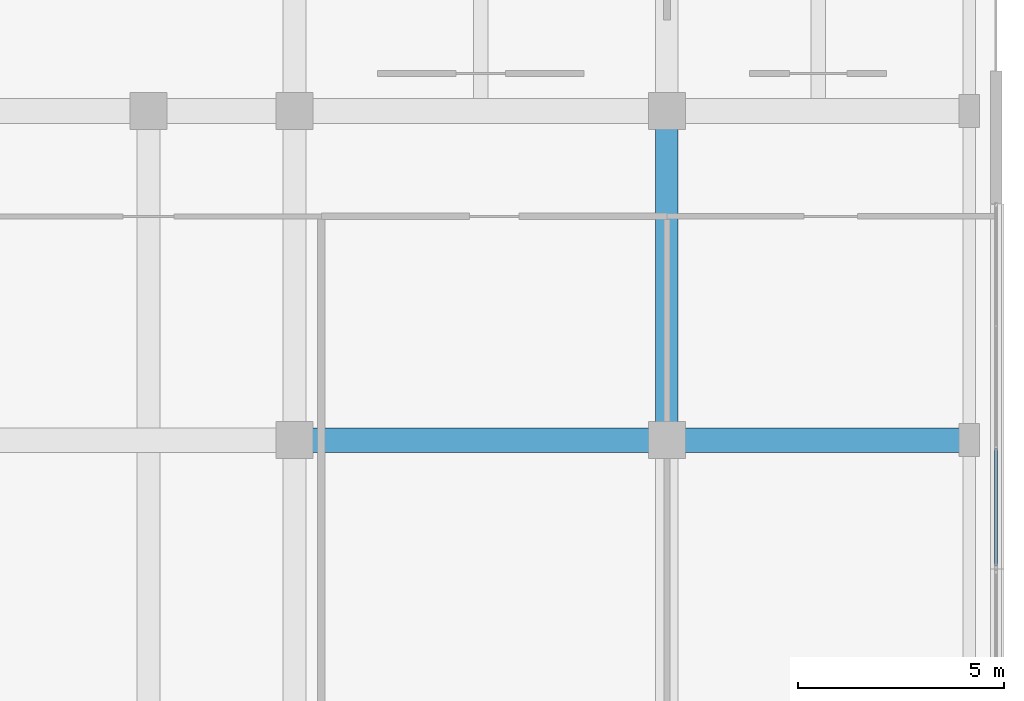
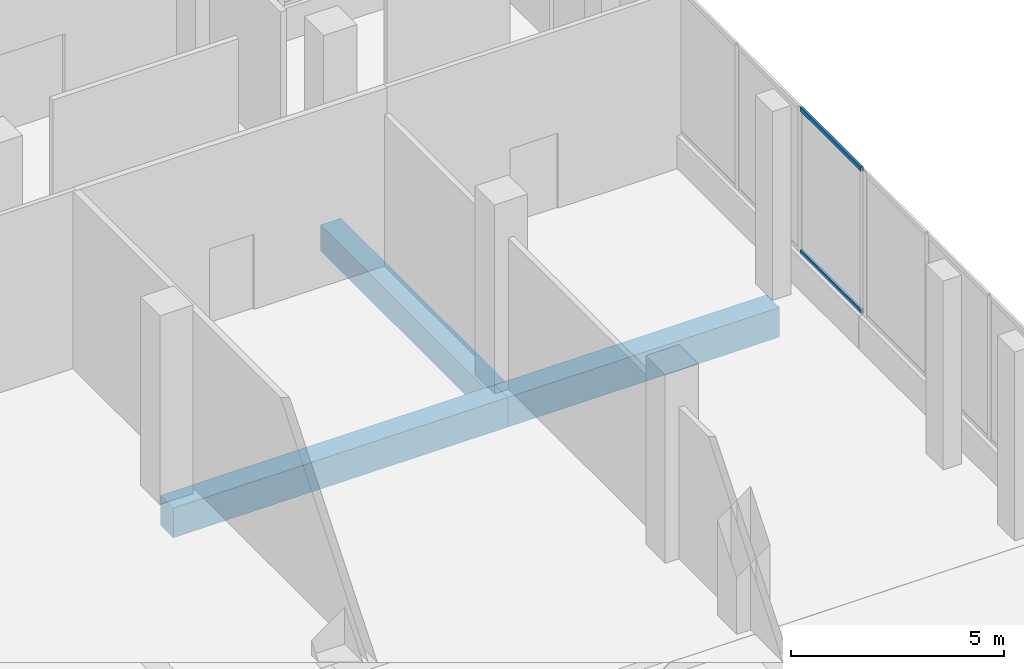
# One storey, part 111 of 158: 3 beams, 2 members, 1 element without a shape of its own.
"""IFC4 building model written with IfcOpenShell, lengths in metres."""

from ifc_helpers import new_model, si_unit, direction, frame, origin, origin_2d, place, context, subcontext, project, spatial, rectangle, hollow_rectangle, extrude, material, material_profile, profile_set, type_object, element, aggregate, save


model = new_model("IFC4")

# Units and contexts
model_context = context("Model", 3, precision=1e-05, world=origin(), true_north=direction((0.0, 1.0)))
body_context = subcontext(model_context, "Body", "Model", "MODEL_VIEW")
ifc_project = project(units=[si_unit("LENGTHUNIT", "METRE"), si_unit("AREAUNIT", "SQUARE_METRE"), si_unit("VOLUMEUNIT", "CUBIC_METRE"), si_unit("PLANEANGLEUNIT", "RADIAN"), si_unit("MASSUNIT", "GRAM", prefix="KILO")], contexts=[model_context])

# Site, building, storey
site_placement = place(None, origin())
site = spatial("IfcSite", under=ifc_project, at=site_placement, CompositionType="ELEMENT")
building_placement = place(site_placement, origin())
building = spatial("IfcBuilding", under=site, at=building_placement, Name="Selatvlak General Hospital", CompositionType="ELEMENT")
storey_placement = place(building_placement, origin())
storey = spatial("IfcBuildingStorey", under=building, at=storey_placement, Name="L00", CompositionType="ELEMENT", Elevation=0.0)

# Beams
ifc_material_1 = material(Name="Concrete C40/50", Category="concrete")
ifc_material_profile_1 = material_profile(ifc_material_1, rectangle(XDim=0.60009765625, YDim=0.85009765625, at=origin_2d()), Name="RC-BM 600x850")
ifc_profile_set_1 = profile_set([ifc_material_profile_1], Name="Concrete C40/50")
beam_type_1 = type_object("IfcBeamType", Name="BM-G01", PredefinedType="BEAM", material=ifc_profile_set_1)
beam_1_placement = place(storey_placement, frame((164.949951171875, 100.0, -0.77490234375), z_axis=(1.0, 0.0, 0.0), x_axis=(0.0, 1.0, 0.0)))
element("IfcBeam", 1, at=beam_1_placement, inside=storey, type_object=beam_type_1, Name="Beam BMR-L00-0111", PredefinedType="BEAM", context=body_context, shape_type="SweptSolid", body=[
    extrude(rectangle(XDim=0.60009765625, YDim=0.85009765625, at=origin_2d()), origin(), (0.0, 0.0, 1.0), 9.050048828125),
])
beam_2_placement = place(storey_placement, frame((174.0, 100.0, -0.77490234375), z_axis=(1.0, 0.0, 0.0), x_axis=(0.0, 1.0, 0.0)))
element("IfcBeam", 2, at=beam_2_placement, inside=storey, type_object=beam_type_1, Name="Beam BMR-L00-0112", PredefinedType="BEAM", context=body_context, shape_type="SweptSolid", body=[
    extrude(rectangle(XDim=0.60009765625, YDim=0.85009765625, at=origin_2d()), origin(), (0.0, 0.0, 1.0), 7.35009765625),
])
ifc_material_profile_2 = material_profile(ifc_material_1, rectangle(XDim=0.550048828125, YDim=0.75, at=origin_2d()), Name="RC-BM 550x750")
ifc_profile_set_2 = profile_set([ifc_material_profile_2], Name="Concrete C40/50")
beam_type_2 = type_object("IfcBeamType", Name="BM-G02", PredefinedType="BEAM", material=ifc_profile_set_2)
beam_3_placement = place(storey_placement, frame((174.0, 100.0, -0.72509765625), z_axis=(0.0, 1.0, 0.0), x_axis=(-1.0, 0.0, 0.0)))
element("IfcBeam", 3, at=beam_3_placement, inside=storey, type_object=beam_type_2, Name="Beam BMR-L00-0300", PredefinedType="BEAM", context=body_context, shape_type="SweptSolid", body=[
    extrude(rectangle(XDim=0.550048828125, YDim=0.75, at=origin_2d()), origin(), (0.0, 0.0, 1.0), 8.0),
])

# Curtain wall, members
ifc_material_2 = material(Name="Solar-control Low-E double glazing", Category="glass")
curtain_wall_type = type_object("IfcCurtainWallType", Name="CW-CW-01", PredefinedType="USERDEFINED", material=ifc_material_2)
curtain_wall_placement = place(storey_placement, origin())
curtain_wall = element("IfcCurtainWall", 4, at=curtain_wall_placement, inside=storey, type_object=curtain_wall_type, Name="Glazed facade curtain wall CW-L00-0014", ObjectType="UNITISED CURTAIN WALL", PredefinedType="USERDEFINED")
ifc_material_3 = material(Name="Dark anodised aluminium mullion", Category="aluminium")
ifc_material_profile_3 = material_profile(ifc_material_3, hollow_rectangle(XDim=0.06494140625, YDim=0.1201171875, WallThickness=0.00390625, at=origin_2d()), Name="AL-TRN 65x120x4")
ifc_profile_set_3 = profile_set([ifc_material_profile_3], Name="Dark anodised aluminium mullion")
member_type = type_object("IfcMemberType", Name="CWT-01", PredefinedType="USERDEFINED", material=ifc_profile_set_3)
member_1_placement = place(storey_placement, frame((181.999755859375, 99.795166015625, 0.972412109375), z_axis=(8.5719184e-05, -0.999999996326, 0.0), x_axis=(0.999999996326, 8.5719184e-05, 0.0)))
member_1 = element("IfcMember", 5, at=member_1_placement, type_object=member_type, Name="CW-01 transom 3.1", ObjectType="TRANSOM", PredefinedType="USERDEFINED", context=body_context, shape_type="SweptSolid", body=[
    extrude(hollow_rectangle(XDim=0.06494140625, YDim=0.1201171875, WallThickness=0.00390625, at=origin_2d()), origin(), (0.0, 0.0, 1.0), 2.84814453125),
])
member_2_placement = place(storey_placement, frame((181.999755859375, 99.795166015625, 5.047607421875), z_axis=(8.5719184e-05, -0.999999996326, 0.0), x_axis=(0.999999996326, 8.5719184e-05, 0.0)))
member_2 = element("IfcMember", 6, at=member_2_placement, type_object=member_type, Name="CW-01 transom 3.2", ObjectType="TRANSOM", PredefinedType="USERDEFINED", context=body_context, shape_type="SweptSolid", body=[
    extrude(hollow_rectangle(XDim=0.06494140625, YDim=0.1201171875, WallThickness=0.00390625, at=origin_2d()), origin(), (0.0, 0.0, 1.0), 2.84814453125),
])
aggregate(curtain_wall, [member_1, member_2])

save(model, "model.ifc")
